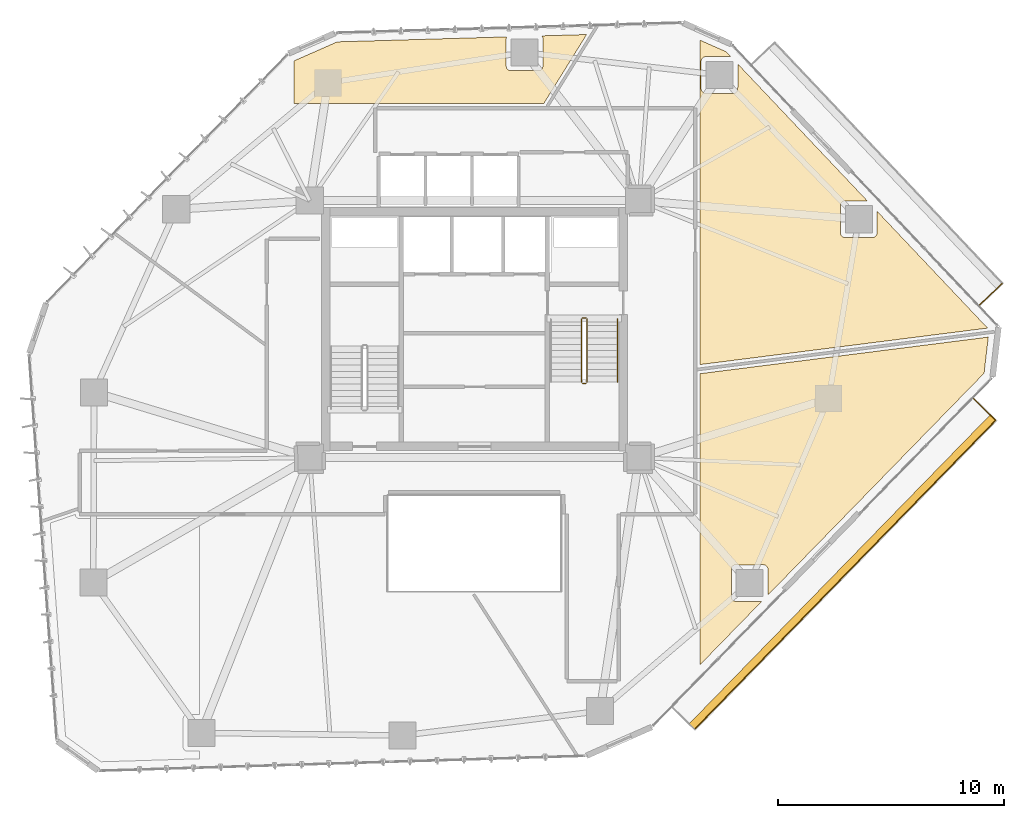
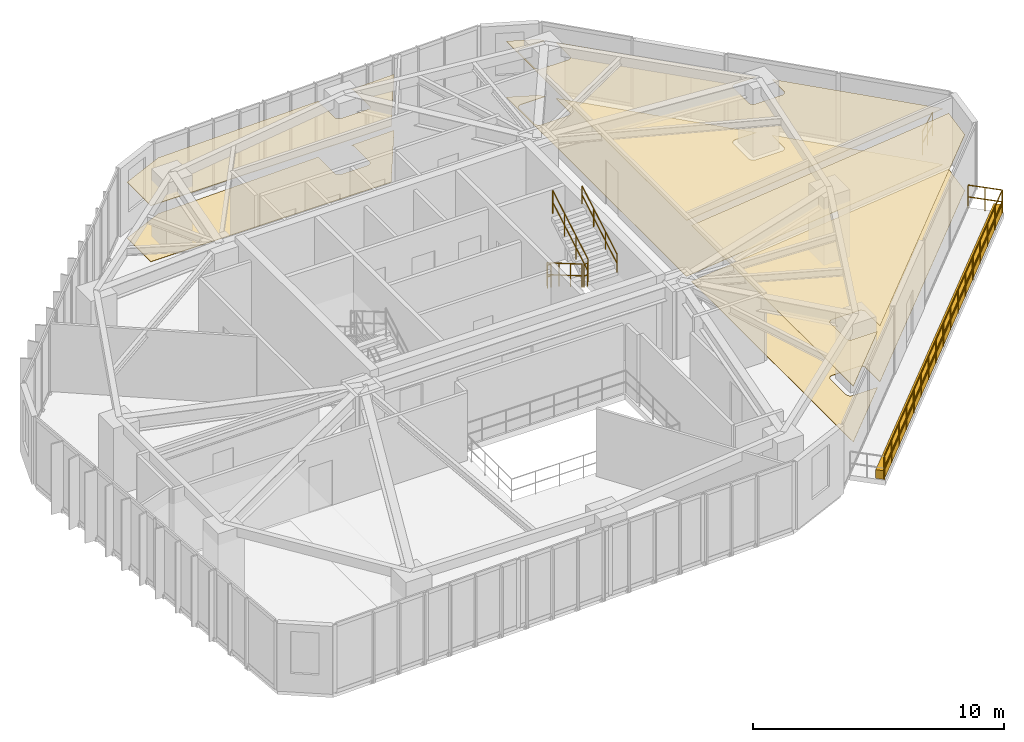
# One storey, part 22 of 23: 8 railings, 7 coverings.
"""IFC4 building model written with IfcOpenShell, lengths in metres."""

from ifc_helpers import new_model, si_unit, direction, frame, origin, origin_2d, place, context, subcontext, project, spatial, polyline, circle, outline, extrude, material, layer, layer_set, type_object, element, save


model = new_model("IFC4")

# Units and contexts
model_context = context("Model", 3, precision=1e-05, world=origin(), true_north=direction((0.0, 1.0)))
body_context = subcontext(model_context, "Body", "Model", "MODEL_VIEW")
ifc_project = project(units=[si_unit("LENGTHUNIT", "METRE"), si_unit("AREAUNIT", "SQUARE_METRE"), si_unit("VOLUMEUNIT", "CUBIC_METRE"), si_unit("PLANEANGLEUNIT", "RADIAN"), si_unit("MASSUNIT", "GRAM", prefix="KILO")], contexts=[model_context])

# Site, building, storey
site_placement = place(None, origin())
site = spatial("IfcSite", under=ifc_project, at=site_placement, CompositionType="ELEMENT")
building_placement = place(site_placement, origin())
building = spatial("IfcBuilding", under=site, at=building_placement, Name="Talar Marvaseh", CompositionType="ELEMENT")
storey_placement = place(building_placement, frame((0.0, 0.0, 96.60009765625)))
storey = spatial("IfcBuildingStorey", under=building, at=storey_placement, Name="L24", CompositionType="ELEMENT", Elevation=96.60009765625)

# Railings
ifc_material_1 = material(Name="Stainless Steel Grade 316", Category="steel")
railing_type_1 = type_object("IfcRailingType", Name="Brushed Stainless Wall Pitch Handrail 900", PredefinedType="HANDRAIL", material=ifc_material_1)
railing_1_placement = place(storey_placement, frame((32.35009765625, 28.85009765625, 1.963623046875)))
element("IfcRailing", 1, at=railing_1_placement, inside=storey, type_object=railing_type_1, Name="L24 ST-2 stair handrail 2", PredefinedType="HANDRAIL", context=body_context, shape_type="SweptSolid", body=[
    extrude(circle(Radius=0.02392578125, at=origin_2d()), frame((0.0, 0.0, 0.8759765625), z_axis=(0.0, 0.863374499697, 0.504563646405), x_axis=(-1.0, 0.0, 0.0)), (0.0, 0.0, 1.0), 3.242919921875),
    extrude(circle(Radius=0.02392578125, at=origin_2d()), frame((0.0, 0.0, 0.42578125), z_axis=(0.0, 0.863374499697, 0.504563646405), x_axis=(-1.0, 0.0, 0.0)), (0.0, 0.0, 1.0), 3.242919921875),
    extrude(circle(Radius=0.02099609375, at=origin_2d()), origin(), (0.0, 0.0, 1.0), 0.851806640625),
    extrude(circle(Radius=0.02099609375, at=origin_2d()), frame((0.0, 0.933349609375, 0.54541015625)), (0.0, 0.0, 1.0), 0.851806640625),
    extrude(circle(Radius=0.02099609375, at=origin_2d()), frame((0.0, 1.866455078125, 1.0908203125)), (0.0, 0.0, 1.0), 0.851806640625),
    extrude(circle(Radius=0.02099609375, at=origin_2d()), frame((0.0, 2.7998046875, 1.63623046875)), (0.0, 0.0, 1.0), 0.851806640625),
])
ifc_material_2 = material(Name="Tempered Clear Glass", Category="glass")
railing_type_2 = type_object("IfcRailingType", Name="External Laminated Glass Terrace Balustrade 1150", PredefinedType="BALUSTRADE", material=ifc_material_2)
railing_2_placement = place(storey_placement, frame((49.404052734375, 33.224853515625, 0.0)))
element("IfcRailing", 2, at=railing_2_placement, inside=storey, type_object=railing_type_2, Name="L24 External Terrace Balustrade 1 3", PredefinedType="BALUSTRADE", context=body_context, shape_type="SweptSolid", body=[
    extrude(circle(Radius=0.02392578125, at=origin_2d()), frame((0.0, 0.0, 1.1259765625), z_axis=(-0.726484769362, -0.687182566634, 0.0), x_axis=(0.687182566634, -0.726484769362, 0.0)), (0.0, 0.0, 1.0), 1.41015625),
    extrude(circle(Radius=0.02392578125, at=origin_2d()), frame((0.0, 0.0, 0.55078125), z_axis=(-0.726484769362, -0.687182566634, 0.0), x_axis=(0.687182566634, -0.726484769362, 0.0)), (0.0, 0.0, 1.0), 1.41015625),
    extrude(circle(Radius=0.02099609375, at=origin_2d()), origin(), (0.0, 0.0, 1.0), 1.101806640625),
    extrude(circle(Radius=0.02099609375, at=origin_2d()), frame((-0.51220703125, -0.484375, 0.0)), (0.0, 0.0, 1.0), 1.101806640625),
    extrude(circle(Radius=0.02099609375, at=origin_2d()), frame((-1.0244140625, -0.968994140625, 0.0)), (0.0, 0.0, 1.0), 1.101806640625),
])
railing_3_placement = place(storey_placement, frame((48.107666015625, 28.14013671875, 0.0)))
element("IfcRailing", 3, at=railing_3_placement, inside=storey, type_object=railing_type_2, Name="L24 External Terrace Balustrade 2 1", PredefinedType="BALUSTRADE", context=body_context, shape_type="SweptSolid", body=[
    extrude(circle(Radius=0.02392578125, at=origin_2d()), frame((0.0, 0.0, 1.1259765625), z_axis=(0.716309470537, -0.697782732962, 0.0), x_axis=(0.697782732962, 0.716309470537, 0.0)), (0.0, 0.0, 1.0), 1.409912109375),
    extrude(circle(Radius=0.02392578125, at=origin_2d()), frame((0.0, 0.0, 0.55078125), z_axis=(0.716309470537, -0.697782732962, 0.0), x_axis=(0.697782732962, 0.716309470537, 0.0)), (0.0, 0.0, 1.0), 1.409912109375),
    extrude(circle(Radius=0.02099609375, at=origin_2d()), origin(), (0.0, 0.0, 1.0), 1.101806640625),
    extrude(circle(Radius=0.02099609375, at=origin_2d()), frame((0.5048828125, -0.491943359375, 0.0)), (0.0, 0.0, 1.0), 1.101806640625),
    extrude(circle(Radius=0.02099609375, at=origin_2d()), frame((1.010009765625, -0.98388671875, 0.0)), (0.0, 0.0, 1.0), 1.101806640625),
])
railing_4_placement = place(storey_placement, frame((49.11767578125, 27.15625, 0.0)))
element("IfcRailing", 4, at=railing_4_placement, inside=storey, type_object=railing_type_2, Name="L24 External Terrace Balustrade 2 2", PredefinedType="BALUSTRADE", context=body_context, shape_type="SweptSolid", body=[
    extrude(circle(Radius=0.02392578125, at=origin_2d()), frame((0.0, 0.0, 1.1259765625), z_axis=(-0.697897649033, -0.716197508705, 0.0), x_axis=(0.716197508705, -0.697897649033, 0.0)), (0.0, 0.0, 1.0), 19.117919921875),
    extrude(circle(Radius=0.02392578125, at=origin_2d()), frame((0.0, 0.0, 0.55078125), z_axis=(-0.697897649033, -0.716197508705, 0.0), x_axis=(0.716197508705, -0.697897649033, 0.0)), (0.0, 0.0, 1.0), 19.117919921875),
    extrude(circle(Radius=0.02099609375, at=origin_2d()), origin(), (0.0, 0.0, 1.0), 1.101806640625),
    extrude(circle(Radius=0.02099609375, at=origin_2d()), frame((-0.833984375, -0.855712890625, 0.0)), (0.0, 0.0, 1.0), 1.101806640625),
    extrude(circle(Radius=0.02099609375, at=origin_2d()), frame((-1.667724609375, -1.71142578125, 0.0)), (0.0, 0.0, 1.0), 1.101806640625),
    extrude(circle(Radius=0.02099609375, at=origin_2d()), frame((-2.501708984375, -2.5673828125, 0.0)), (0.0, 0.0, 1.0), 1.101806640625),
    extrude(circle(Radius=0.02099609375, at=origin_2d()), frame((-3.33544921875, -3.423095703125, 0.0)), (0.0, 0.0, 1.0), 1.101806640625),
    extrude(circle(Radius=0.02099609375, at=origin_2d()), frame((-4.16943359375, -4.27880859375, 0.0)), (0.0, 0.0, 1.0), 1.101806640625),
    extrude(circle(Radius=0.02099609375, at=origin_2d()), frame((-5.00341796875, -5.134521484375, 0.0)), (0.0, 0.0, 1.0), 1.101806640625),
    extrude(circle(Radius=0.02099609375, at=origin_2d()), frame((-5.837158203125, -5.990234375, 0.0)), (0.0, 0.0, 1.0), 1.101806640625),
    extrude(circle(Radius=0.02099609375, at=origin_2d()), frame((-6.671142578125, -6.84619140625, 0.0)), (0.0, 0.0, 1.0), 1.101806640625),
    extrude(circle(Radius=0.02099609375, at=origin_2d()), frame((-7.505126953125, -7.701904296875, 0.0)), (0.0, 0.0, 1.0), 1.101806640625),
    extrude(circle(Radius=0.02099609375, at=origin_2d()), frame((-8.3388671875, -8.5576171875, 0.0)), (0.0, 0.0, 1.0), 1.101806640625),
    extrude(circle(Radius=0.02099609375, at=origin_2d()), frame((-9.1728515625, -9.413330078125, 0.0)), (0.0, 0.0, 1.0), 1.101806640625),
    extrude(circle(Radius=0.02099609375, at=origin_2d()), frame((-10.0068359375, -10.26904296875, 0.0)), (0.0, 0.0, 1.0), 1.101806640625),
    extrude(circle(Radius=0.02099609375, at=origin_2d()), frame((-10.840576171875, -11.124755859375, 0.0)), (0.0, 0.0, 1.0), 1.101806640625),
    extrude(circle(Radius=0.02099609375, at=origin_2d()), frame((-11.674560546875, -11.980712890625, 0.0)), (0.0, 0.0, 1.0), 1.101806640625),
    extrude(circle(Radius=0.02099609375, at=origin_2d()), frame((-12.50830078125, -12.83642578125, 0.0)), (0.0, 0.0, 1.0), 1.101806640625),
    extrude(circle(Radius=0.02099609375, at=origin_2d()), frame((-13.34228515625, -13.692138671875, 0.0)), (0.0, 0.0, 1.0), 1.101806640625),
])
railing_type_3 = type_object("IfcRailingType", Name="Painted Steel Core Stair Well Guardrail 1150", PredefinedType="GUARDRAIL", material=ifc_material_1)
railing_5_placement = place(storey_placement, frame((30.739990234375, 31.64990234375, 0.16357421875)))
element("IfcRailing", 5, at=railing_5_placement, inside=storey, type_object=railing_type_3, Name="L24 ST-2 stair guard 1", PredefinedType="GUARDRAIL", context=body_context, shape_type="SweptSolid", body=[
    extrude(circle(Radius=0.02392578125, at=origin_2d()), frame((0.0, 0.0, 1.1259765625), z_axis=(0.0, -0.863374499697, 0.504563646405), x_axis=(1.0, 0.0, 0.0)), (0.0, 0.0, 1.0), 3.242919921875),
    extrude(circle(Radius=0.02392578125, at=origin_2d()), frame((0.0, 0.0, 0.55078125), z_axis=(0.0, -0.863374499697, 0.504563646405), x_axis=(1.0, 0.0, 0.0)), (0.0, 0.0, 1.0), 3.242919921875),
    extrude(circle(Radius=0.02099609375, at=origin_2d()), origin(), (0.0, 0.0, 1.0), 1.101806640625),
    extrude(circle(Radius=0.02099609375, at=origin_2d()), frame((0.0, -0.933349609375, 0.54541015625)), (0.0, 0.0, 1.0), 1.101806640625),
    extrude(circle(Radius=0.02099609375, at=origin_2d()), frame((0.0, -1.866455078125, 1.0908203125)), (0.0, 0.0, 1.0), 1.101806640625),
    extrude(circle(Radius=0.02099609375, at=origin_2d()), frame((0.0, -2.7998046875, 1.63623046875)), (0.0, 0.0, 1.0), 1.101806640625),
])
railing_6_placement = place(storey_placement, frame((30.7900390625, 28.800048828125, 1.7998046875)))
element("IfcRailing", 6, at=railing_6_placement, inside=storey, type_object=railing_type_3, Name="L24 ST-2 stair guard 2", PredefinedType="GUARDRAIL", context=body_context, shape_type="SweptSolid", body=[
    extrude(circle(Radius=0.02392578125, at=origin_2d()), frame((0.0, 0.0, 1.1259765625), z_axis=(1.0, 0.0, 0.0), x_axis=(0.0, 1.0, 0.0)), (0.0, 0.0, 1.0), 0.159912109375),
    extrude(circle(Radius=0.02392578125, at=origin_2d()), frame((0.0, 0.0, 0.55078125), z_axis=(1.0, 0.0, 0.0), x_axis=(0.0, 1.0, 0.0)), (0.0, 0.0, 1.0), 0.159912109375),
    extrude(circle(Radius=0.02099609375, at=origin_2d()), origin(), (0.0, 0.0, 1.0), 1.101806640625),
    extrude(circle(Radius=0.02099609375, at=origin_2d()), frame((0.159912109375, 0.0, 0.0)), (0.0, 0.0, 1.0), 1.101806640625),
])
railing_7_placement = place(storey_placement, frame((31.0, 28.85009765625, 1.963623046875)))
element("IfcRailing", 7, at=railing_7_placement, inside=storey, type_object=railing_type_3, Name="L24 ST-2 stair guard 3", PredefinedType="GUARDRAIL", context=body_context, shape_type="SweptSolid", body=[
    extrude(circle(Radius=0.02392578125, at=origin_2d()), frame((0.0, 0.0, 1.1259765625), z_axis=(0.0, 0.863374499697, 0.504563646405), x_axis=(-1.0, 0.0, 0.0)), (0.0, 0.0, 1.0), 3.242919921875),
    extrude(circle(Radius=0.02392578125, at=origin_2d()), frame((0.0, 0.0, 0.55078125), z_axis=(0.0, 0.863374499697, 0.504563646405), x_axis=(-1.0, 0.0, 0.0)), (0.0, 0.0, 1.0), 3.242919921875),
    extrude(circle(Radius=0.02099609375, at=origin_2d()), origin(), (0.0, 0.0, 1.0), 1.101806640625),
    extrude(circle(Radius=0.02099609375, at=origin_2d()), frame((0.0, 0.933349609375, 0.54541015625)), (0.0, 0.0, 1.0), 1.101806640625),
    extrude(circle(Radius=0.02099609375, at=origin_2d()), frame((0.0, 1.866455078125, 1.0908203125)), (0.0, 0.0, 1.0), 1.101806640625),
    extrude(circle(Radius=0.02099609375, at=origin_2d()), frame((0.0, 2.7998046875, 1.63623046875)), (0.0, 0.0, 1.0), 1.101806640625),
])
railing_8_placement = place(storey_placement, frame((30.7900390625, 31.699951171875, 0.0)))
element("IfcRailing", 8, at=railing_8_placement, inside=storey, type_object=railing_type_3, Name="L24 ST-2 stair guard 4", PredefinedType="GUARDRAIL", context=body_context, shape_type="SweptSolid", body=[
    extrude(circle(Radius=0.02392578125, at=origin_2d()), frame((0.0, 0.0, 1.1259765625), z_axis=(1.0, 0.0, 0.0), x_axis=(0.0, 1.0, 0.0)), (0.0, 0.0, 1.0), 0.159912109375),
    extrude(circle(Radius=0.02392578125, at=origin_2d()), frame((0.0, 0.0, 0.55078125), z_axis=(1.0, 0.0, 0.0), x_axis=(0.0, 1.0, 0.0)), (0.0, 0.0, 1.0), 0.159912109375),
    extrude(circle(Radius=0.02099609375, at=origin_2d()), origin(), (0.0, 0.0, 1.0), 1.101806640625),
    extrude(circle(Radius=0.02099609375, at=origin_2d()), frame((0.159912109375, 0.0, 0.0)), (0.0, 0.0, 1.0), 1.101806640625),
])

# Coverings
ifc_material_3 = material(Name="Mineral Fibre Acoustic Ceiling")
ifc_layer_1 = layer(ifc_material_3, 0.02490234375)
ifc_layer_set_1 = layer_set([ifc_layer_1], Name="Mineral Fibre Acoustic Ceiling")
covering_type_1 = type_object("IfcCoveringType", Name="Perforated Mineral Fibre Acoustic Suspended Ceiling", PredefinedType="CEILING", material=ifc_layer_set_1)
covering_1_placement = place(storey_placement, frame((0.0, 0.0, 2.719970703125)))
element("IfcCovering", 9, at=covering_1_placement, inside=storey, type_object=covering_type_1, Name="L24 Hospitality Tea Pantry Acoustic Ceiling", PredefinedType="CEILING", context=body_context, shape_type="SweptSolid", body=[
    extrude(outline(polyline([(48.7861328125, 30.84912109375), (48.5986328125, 29.24560546875), (39.016845703125, 19.412841796875), (39.02099609375, 20.541748046875), (39.02001953125, 20.560302734375), (39.017578125, 20.578857421875), (39.01318359375, 20.596923828125), (39.00732421875, 20.614501953125), (39.0, 20.631591796875), (38.990966796875, 20.64794921875), (38.980224609375, 20.663330078125), (38.968505859375, 20.677490234375), (38.955078125, 20.690673828125), (38.940185546875, 20.7041015625), (38.926025390625, 20.716064453125), (38.91064453125, 20.726318359375), (38.89453125, 20.7353515625), (38.877685546875, 20.74267578125), (38.860107421875, 20.74853515625), (38.842041015625, 20.752685546875), (38.82373046875, 20.755126953125), (38.805419921875, 20.756103515625), (37.5947265625, 20.751708984375), (37.5751953125, 20.75048828125), (37.555908203125, 20.74755859375), (37.536865234375, 20.742919921875), (37.518310546875, 20.736083984375), (37.500732421875, 20.727783203125), (37.48388671875, 20.717529296875), (37.46826171875, 20.705810546875), (37.45361328125, 20.69287109375), (37.440673828125, 20.67822265625), (37.428955078125, 20.66259765625), (37.4189453125, 20.645751953125), (37.41064453125, 20.6279296875), (37.404052734375, 20.609619140625), (37.399169921875, 20.590576171875), (37.396484375, 20.5712890625), (37.3955078125, 20.551513671875), (37.3955078125, 19.330322265625), (37.396484375, 19.310791015625), (37.399169921875, 19.29150390625), (37.404052734375, 19.272216796875), (37.41064453125, 19.25390625), (37.4189453125, 19.236083984375), (37.42919921875, 19.21923828125), (37.44091796875, 19.20361328125), (37.4541015625, 19.18896484375), (37.468505859375, 19.17578125), (37.484375, 19.1640625), (37.501220703125, 19.154052734375), (37.518798828125, 19.1455078125), (37.537353515625, 19.138916015625), (37.556396484375, 19.13427734375), (37.57568359375, 19.13134765625), (37.595458984375, 19.13037109375), (38.74169921875, 19.13037109375), (36.0, 16.31689453125), (36.0, 23.0), (36.0, 29.226806640625), (48.7861328125, 30.84912109375)])), origin(), (0.0, 0.0, 1.0), 0.02490234375),
])
covering_2_placement = place(storey_placement, frame((0.0, 0.0, 2.719970703125)))
element("IfcCovering", 10, at=covering_2_placement, inside=storey, type_object=covering_type_1, Name="L24 Main Reading Room Acoustic Ceiling", PredefinedType="CEILING", context=body_context, shape_type="SweptSolid", body=[
    extrude(outline(polyline([(36.0, 44.0166015625), (37.16748046875, 43.499755859375), (37.369873046875, 43.28564453125), (36.254638671875, 43.281494140625), (36.235107421875, 43.280517578125), (36.2158203125, 43.277587890625), (36.19677734375, 43.272705078125), (36.178466796875, 43.26611328125), (36.16064453125, 43.2578125), (36.143798828125, 43.24755859375), (36.128173828125, 43.23583984375), (36.11376953125, 43.222900390625), (36.1005859375, 43.208251953125), (36.089111328125, 43.1923828125), (36.078857421875, 43.17578125), (36.070556640625, 43.157958984375), (36.06396484375, 43.139404296875), (36.05908203125, 43.12060546875), (36.056396484375, 43.101318359375), (36.055419921875, 43.08154296875), (36.055419921875, 41.8603515625), (36.056396484375, 41.8408203125), (36.05908203125, 41.8212890625), (36.06396484375, 41.80224609375), (36.070556640625, 41.783935546875), (36.0791015625, 41.76611328125), (36.089111328125, 41.749267578125), (36.100830078125, 41.7333984375), (36.114013671875, 41.718994140625), (36.12841796875, 41.705810546875), (36.144287109375, 41.694091796875), (36.1611328125, 41.68408203125), (36.178955078125, 41.675537109375), (36.197265625, 41.6689453125), (36.21630859375, 41.664306640625), (36.23583984375, 41.661376953125), (36.25537109375, 41.660400390625), (37.4765625, 41.660400390625), (37.49609375, 41.661376953125), (37.515380859375, 41.664306640625), (37.534423828125, 41.6689453125), (37.552978515625, 41.675537109375), (37.57080078125, 41.683837890625), (37.58740234375, 41.694091796875), (37.603271484375, 41.70556640625), (37.617919921875, 41.71875), (37.630859375, 41.733154296875), (37.642578125, 41.748779296875), (37.65283203125, 41.765625), (37.6611328125, 41.783447265625), (37.667724609375, 41.8017578125), (37.672607421875, 41.82080078125), (37.675537109375, 41.840087890625), (37.676513671875, 41.859619140625), (37.680419921875, 42.957275390625), (43.418701171875, 36.89013671875), (42.4326171875, 36.88671875), (42.4130859375, 36.885498046875), (42.393798828125, 36.882568359375), (42.374755859375, 36.877685546875), (42.3564453125, 36.87109375), (42.338623046875, 36.86279296875), (42.322021484375, 36.8525390625), (42.30615234375, 36.8408203125), (42.291748046875, 36.827880859375), (42.278564453125, 36.813232421875), (42.26708984375, 36.797607421875), (42.2568359375, 36.78076171875), (42.24853515625, 36.762939453125), (42.241943359375, 36.744384765625), (42.2373046875, 36.7255859375), (42.234375, 36.706298828125), (42.2333984375, 36.6865234375), (42.2333984375, 35.46533203125), (42.234375, 35.44580078125), (42.2373046875, 35.426513671875), (42.241943359375, 35.4072265625), (42.24853515625, 35.388916015625), (42.257080078125, 35.37109375), (42.26708984375, 35.354248046875), (42.27880859375, 35.33837890625), (42.2919921875, 35.323974609375), (42.306396484375, 35.310791015625), (42.322265625, 35.299072265625), (42.339111328125, 35.2890625), (42.35693359375, 35.280517578125), (42.375244140625, 35.27392578125), (42.394287109375, 35.269287109375), (42.413818359375, 35.266357421875), (42.433349609375, 35.265380859375), (43.654541015625, 35.265380859375), (43.67431640625, 35.266357421875), (43.693603515625, 35.269287109375), (43.71240234375, 35.27392578125), (43.73095703125, 35.280517578125), (43.748779296875, 35.288818359375), (43.765380859375, 35.299072265625), (43.78125, 35.310546875), (43.7958984375, 35.32373046875), (43.808837890625, 35.338134765625), (43.820556640625, 35.35400390625), (43.830810546875, 35.37060546875), (43.839111328125, 35.388427734375), (43.845703125, 35.40673828125), (43.8505859375, 35.42578125), (43.853515625, 35.445068359375), (43.8544921875, 35.464599609375), (43.85791015625, 36.425537109375), (48.754638671875, 31.248291015625), (36.0, 29.6298828125), (36.0, 41.0), (36.0, 44.0166015625)])), origin(), (0.0, 0.0, 1.0), 0.02490234375),
])
covering_3_placement = place(storey_placement, frame((0.0, 0.0, 2.719970703125)))
element("IfcCovering", 11, at=covering_3_placement, inside=storey, type_object=covering_type_1, Name="L24 Scholars' Servery Pantry Acoustic Ceiling", PredefinedType="CEILING", context=body_context, shape_type="SweptSolid", body=[
    extrude(outline(polyline([(27.427490234375, 44.161376953125), (27.426513671875, 44.158935546875), (27.419921875, 44.140380859375), (27.415283203125, 44.12158203125), (27.412353515625, 44.102294921875), (27.411376953125, 44.08251953125), (27.411376953125, 42.861328125), (27.412353515625, 42.841796875), (27.415283203125, 42.822509765625), (27.419921875, 42.80322265625), (27.426513671875, 42.784912109375), (27.43505859375, 42.76708984375), (27.445068359375, 42.750244140625), (27.456787109375, 42.734619140625), (27.469970703125, 42.719970703125), (27.484619140625, 42.706787109375), (27.500244140625, 42.695068359375), (27.51708984375, 42.68505859375), (27.534912109375, 42.676513671875), (27.55322265625, 42.669921875), (27.572509765625, 42.665283203125), (27.591796875, 42.662353515625), (27.611328125, 42.661376953125), (28.83251953125, 42.661376953125), (28.852294921875, 42.662353515625), (28.87158203125, 42.665283203125), (28.890380859375, 42.669921875), (28.908935546875, 42.676513671875), (28.9267578125, 42.684814453125), (28.943603515625, 42.695068359375), (28.959228515625, 42.70654296875), (28.973876953125, 42.7197265625), (28.98681640625, 42.734130859375), (28.99853515625, 42.75), (29.0087890625, 42.7666015625), (29.01708984375, 42.784423828125), (29.023681640625, 42.802734375), (29.028564453125, 42.82177734375), (29.031494140625, 42.841064453125), (29.03271484375, 42.860595703125), (29.036865234375, 44.07275390625), (29.0361328125, 44.09130859375), (29.03369140625, 44.10986328125), (29.029296875, 44.1279296875), (29.0234375, 44.1455078125), (29.015869140625, 44.16259765625), (29.0068359375, 44.178955078125), (28.996337890625, 44.1943359375), (28.985595703125, 44.20703125), (30.975830078125, 44.265380859375), (29.072265625, 41.199951171875), (21.60009765625, 41.199951171875), (18.0, 41.199951171875), (18.0, 43.09619140625), (19.919921875, 43.94091796875), (27.427490234375, 44.161376953125)])), origin(), (0.0, 0.0, 1.0), 0.02490234375),
])
ifc_material_4 = material(Name="Planted Terrace Vegetated Substrate")
ifc_layer_2 = layer(ifc_material_4, 0.39990234375)
ifc_layer_set_2 = layer_set([ifc_layer_2], Name="Planted Terrace Vegetated Substrate")
covering_type_2 = type_object("IfcCoveringType", Name="Planted Terrace Soil Planter Box Cladding", PredefinedType="CLADDING", material=ifc_layer_set_2)
covering_4_placement = place(storey_placement, origin())
element("IfcCovering", 12, at=covering_4_placement, inside=storey, type_object=covering_type_2, Name="L24 Balcony Structural Planter 2", PredefinedType="CLADDING", context=body_context, shape_type="SweptSolid", body=[
    extrude(outline(polyline([(49.11767578125, 27.15625), (35.775390625, 13.464111328125), (35.524658203125, 13.70849609375), (48.866943359375, 27.400390625), (49.11767578125, 27.15625)])), origin(), (0.0, 0.0, 1.0), 0.419921875),
])
ifc_material_5 = material(Name="Porcelain Stoneware Tile", Category="masonry")
ifc_layer_3 = layer(ifc_material_5, 0.02001953125)
ifc_layer_set_3 = layer_set([ifc_layer_3], Name="Porcelain Stoneware Tile")
covering_type_3 = type_object("IfcCoveringType", Name="Polished Porcelain Stoneware Gallery Flooring", PredefinedType="FLOORING", material=ifc_layer_set_3)
covering_5_placement = place(storey_placement, origin())
element("IfcCovering", 13, at=covering_5_placement, inside=storey, type_object=covering_type_3, Name="L24 Hospitality Tea Pantry Flooring", PredefinedType="FLOORING", context=body_context, shape_type="SweptSolid", body=[
    extrude(outline(polyline([(48.7861328125, 30.84912109375), (48.5986328125, 29.24560546875), (39.016845703125, 19.412841796875), (39.02099609375, 20.541748046875), (39.02001953125, 20.560302734375), (39.017578125, 20.578857421875), (39.01318359375, 20.596923828125), (39.00732421875, 20.614501953125), (39.0, 20.631591796875), (38.990966796875, 20.64794921875), (38.980224609375, 20.663330078125), (38.968505859375, 20.677490234375), (38.955078125, 20.690673828125), (38.940185546875, 20.7041015625), (38.926025390625, 20.716064453125), (38.91064453125, 20.726318359375), (38.89453125, 20.7353515625), (38.877685546875, 20.74267578125), (38.860107421875, 20.74853515625), (38.842041015625, 20.752685546875), (38.82373046875, 20.755126953125), (38.805419921875, 20.756103515625), (37.5947265625, 20.751708984375), (37.5751953125, 20.75048828125), (37.555908203125, 20.74755859375), (37.536865234375, 20.742919921875), (37.518310546875, 20.736083984375), (37.500732421875, 20.727783203125), (37.48388671875, 20.717529296875), (37.46826171875, 20.705810546875), (37.45361328125, 20.69287109375), (37.440673828125, 20.67822265625), (37.428955078125, 20.66259765625), (37.4189453125, 20.645751953125), (37.41064453125, 20.6279296875), (37.404052734375, 20.609619140625), (37.399169921875, 20.590576171875), (37.396484375, 20.5712890625), (37.3955078125, 20.551513671875), (37.3955078125, 19.330322265625), (37.396484375, 19.310791015625), (37.399169921875, 19.29150390625), (37.404052734375, 19.272216796875), (37.41064453125, 19.25390625), (37.4189453125, 19.236083984375), (37.42919921875, 19.21923828125), (37.44091796875, 19.20361328125), (37.4541015625, 19.18896484375), (37.468505859375, 19.17578125), (37.484375, 19.1640625), (37.501220703125, 19.154052734375), (37.518798828125, 19.1455078125), (37.537353515625, 19.138916015625), (37.556396484375, 19.13427734375), (37.57568359375, 19.13134765625), (37.595458984375, 19.13037109375), (38.74169921875, 19.13037109375), (36.0, 16.31689453125), (36.0, 23.0), (36.0, 29.226806640625), (48.7861328125, 30.84912109375)])), origin(), (0.0, 0.0, 1.0), 0.02001953125),
])
covering_6_placement = place(storey_placement, origin())
element("IfcCovering", 14, at=covering_6_placement, inside=storey, type_object=covering_type_3, Name="L24 Main Reading Room Flooring", PredefinedType="FLOORING", context=body_context, shape_type="SweptSolid", body=[
    extrude(outline(polyline([(36.0, 44.0166015625), (37.16748046875, 43.499755859375), (37.369873046875, 43.28564453125), (36.254638671875, 43.281494140625), (36.235107421875, 43.280517578125), (36.2158203125, 43.277587890625), (36.19677734375, 43.272705078125), (36.178466796875, 43.26611328125), (36.16064453125, 43.2578125), (36.143798828125, 43.24755859375), (36.128173828125, 43.23583984375), (36.11376953125, 43.222900390625), (36.1005859375, 43.208251953125), (36.089111328125, 43.1923828125), (36.078857421875, 43.17578125), (36.070556640625, 43.157958984375), (36.06396484375, 43.139404296875), (36.05908203125, 43.12060546875), (36.056396484375, 43.101318359375), (36.055419921875, 43.08154296875), (36.055419921875, 41.8603515625), (36.056396484375, 41.8408203125), (36.05908203125, 41.8212890625), (36.06396484375, 41.80224609375), (36.070556640625, 41.783935546875), (36.0791015625, 41.76611328125), (36.089111328125, 41.749267578125), (36.100830078125, 41.7333984375), (36.114013671875, 41.718994140625), (36.12841796875, 41.705810546875), (36.144287109375, 41.694091796875), (36.1611328125, 41.68408203125), (36.178955078125, 41.675537109375), (36.197265625, 41.6689453125), (36.21630859375, 41.664306640625), (36.23583984375, 41.661376953125), (36.25537109375, 41.660400390625), (37.4765625, 41.660400390625), (37.49609375, 41.661376953125), (37.515380859375, 41.664306640625), (37.534423828125, 41.6689453125), (37.552978515625, 41.675537109375), (37.57080078125, 41.683837890625), (37.58740234375, 41.694091796875), (37.603271484375, 41.70556640625), (37.617919921875, 41.71875), (37.630859375, 41.733154296875), (37.642578125, 41.748779296875), (37.65283203125, 41.765625), (37.6611328125, 41.783447265625), (37.667724609375, 41.8017578125), (37.672607421875, 41.82080078125), (37.675537109375, 41.840087890625), (37.676513671875, 41.859619140625), (37.680419921875, 42.957275390625), (43.418701171875, 36.89013671875), (42.4326171875, 36.88671875), (42.4130859375, 36.885498046875), (42.393798828125, 36.882568359375), (42.374755859375, 36.877685546875), (42.3564453125, 36.87109375), (42.338623046875, 36.86279296875), (42.322021484375, 36.8525390625), (42.30615234375, 36.8408203125), (42.291748046875, 36.827880859375), (42.278564453125, 36.813232421875), (42.26708984375, 36.797607421875), (42.2568359375, 36.78076171875), (42.24853515625, 36.762939453125), (42.241943359375, 36.744384765625), (42.2373046875, 36.7255859375), (42.234375, 36.706298828125), (42.2333984375, 36.6865234375), (42.2333984375, 35.46533203125), (42.234375, 35.44580078125), (42.2373046875, 35.426513671875), (42.241943359375, 35.4072265625), (42.24853515625, 35.388916015625), (42.257080078125, 35.37109375), (42.26708984375, 35.354248046875), (42.27880859375, 35.33837890625), (42.2919921875, 35.323974609375), (42.306396484375, 35.310791015625), (42.322265625, 35.299072265625), (42.339111328125, 35.2890625), (42.35693359375, 35.280517578125), (42.375244140625, 35.27392578125), (42.394287109375, 35.269287109375), (42.413818359375, 35.266357421875), (42.433349609375, 35.265380859375), (43.654541015625, 35.265380859375), (43.67431640625, 35.266357421875), (43.693603515625, 35.269287109375), (43.71240234375, 35.27392578125), (43.73095703125, 35.280517578125), (43.748779296875, 35.288818359375), (43.765380859375, 35.299072265625), (43.78125, 35.310546875), (43.7958984375, 35.32373046875), (43.808837890625, 35.338134765625), (43.820556640625, 35.35400390625), (43.830810546875, 35.37060546875), (43.839111328125, 35.388427734375), (43.845703125, 35.40673828125), (43.8505859375, 35.42578125), (43.853515625, 35.445068359375), (43.8544921875, 35.464599609375), (43.85791015625, 36.425537109375), (48.754638671875, 31.248291015625), (36.0, 29.6298828125), (36.0, 41.0), (36.0, 44.0166015625)])), origin(), (0.0, 0.0, 1.0), 0.02001953125),
])
covering_7_placement = place(storey_placement, origin())
element("IfcCovering", 15, at=covering_7_placement, inside=storey, type_object=covering_type_3, Name="L24 Scholars' Servery Pantry Flooring", PredefinedType="FLOORING", context=body_context, shape_type="SweptSolid", body=[
    extrude(outline(polyline([(27.427490234375, 44.161376953125), (27.426513671875, 44.158935546875), (27.419921875, 44.140380859375), (27.415283203125, 44.12158203125), (27.412353515625, 44.102294921875), (27.411376953125, 44.08251953125), (27.411376953125, 42.861328125), (27.412353515625, 42.841796875), (27.415283203125, 42.822509765625), (27.419921875, 42.80322265625), (27.426513671875, 42.784912109375), (27.43505859375, 42.76708984375), (27.445068359375, 42.750244140625), (27.456787109375, 42.734619140625), (27.469970703125, 42.719970703125), (27.484619140625, 42.706787109375), (27.500244140625, 42.695068359375), (27.51708984375, 42.68505859375), (27.534912109375, 42.676513671875), (27.55322265625, 42.669921875), (27.572509765625, 42.665283203125), (27.591796875, 42.662353515625), (27.611328125, 42.661376953125), (28.83251953125, 42.661376953125), (28.852294921875, 42.662353515625), (28.87158203125, 42.665283203125), (28.890380859375, 42.669921875), (28.908935546875, 42.676513671875), (28.9267578125, 42.684814453125), (28.943603515625, 42.695068359375), (28.959228515625, 42.70654296875), (28.973876953125, 42.7197265625), (28.98681640625, 42.734130859375), (28.99853515625, 42.75), (29.0087890625, 42.7666015625), (29.01708984375, 42.784423828125), (29.023681640625, 42.802734375), (29.028564453125, 42.82177734375), (29.031494140625, 42.841064453125), (29.03271484375, 42.860595703125), (29.036865234375, 44.07275390625), (29.0361328125, 44.09130859375), (29.03369140625, 44.10986328125), (29.029296875, 44.1279296875), (29.0234375, 44.1455078125), (29.015869140625, 44.16259765625), (29.0068359375, 44.178955078125), (28.996337890625, 44.1943359375), (28.985595703125, 44.20703125), (30.975830078125, 44.265380859375), (29.072265625, 41.199951171875), (21.60009765625, 41.199951171875), (18.0, 41.199951171875), (18.0, 43.09619140625), (19.919921875, 43.94091796875), (27.427490234375, 44.161376953125)])), origin(), (0.0, 0.0, 1.0), 0.02001953125),
])

save(model, "model.ifc")
